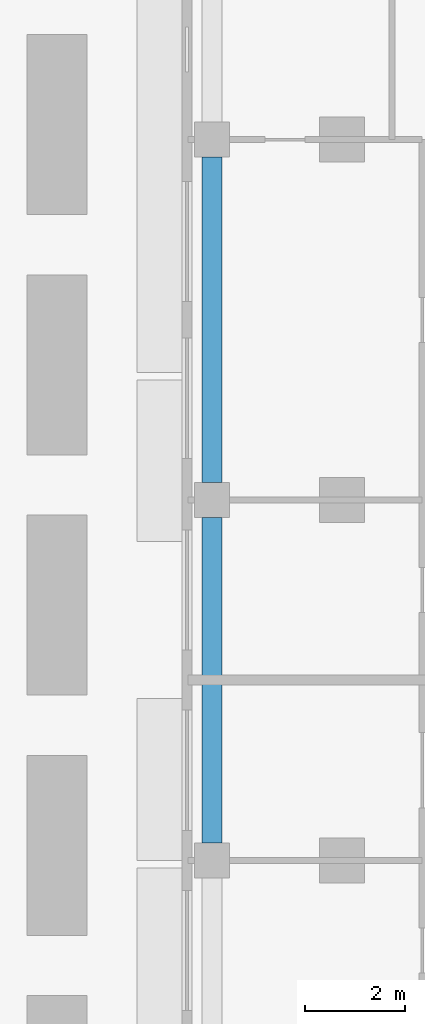
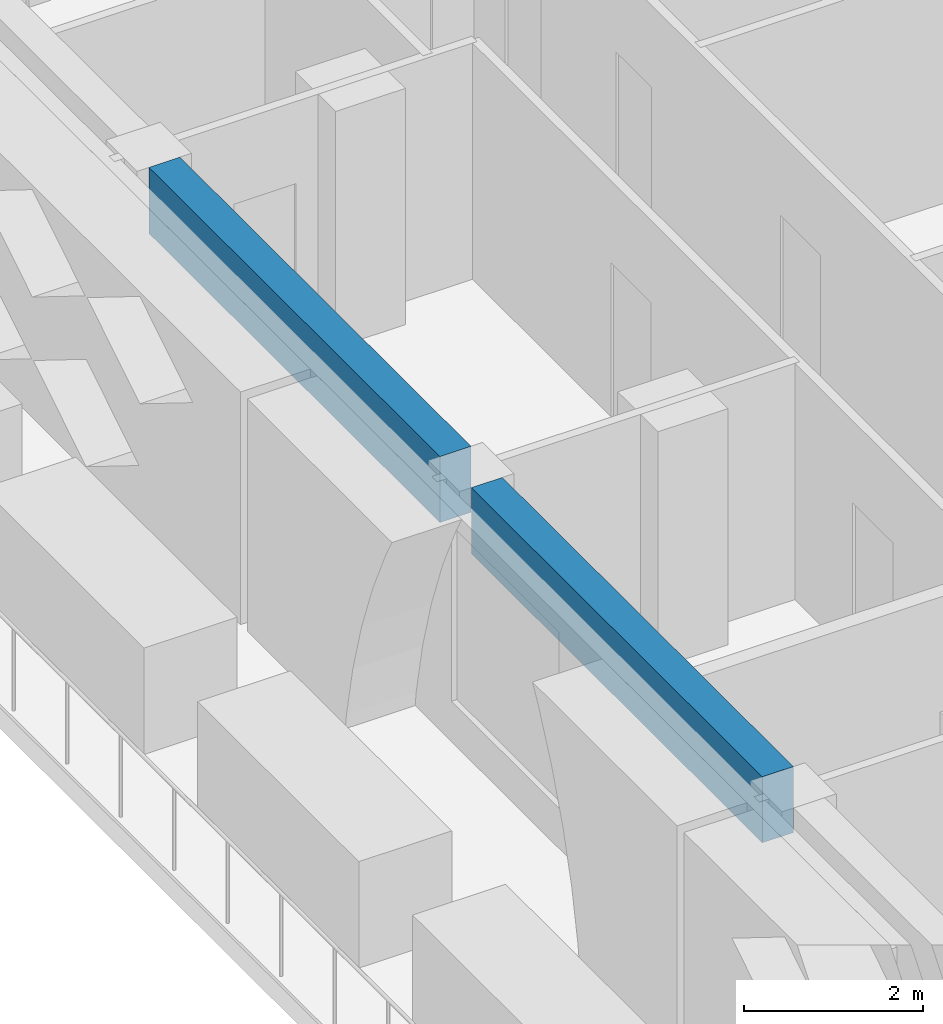
# One storey, part 3 of 19: 2 beams.
"""IFC4 building model written with IfcOpenShell, lengths in metres."""

from ifc_helpers import new_model, si_unit, direction, frame, origin, origin_2d, place, context, subcontext, project, spatial, rectangle, extrude, source, transform, mapped, material, material_profile, profile_set, type_object, element, save


model = new_model("IFC4")

# Units and contexts
model_context = context("Model", 3, precision=1e-05, world=origin(), true_north=direction((0.0, 1.0)))
body_context = subcontext(model_context, "Body", "Model", "MODEL_VIEW")
ifc_project = project(units=[si_unit("LENGTHUNIT", "METRE"), si_unit("AREAUNIT", "SQUARE_METRE"), si_unit("VOLUMEUNIT", "CUBIC_METRE"), si_unit("PLANEANGLEUNIT", "RADIAN"), si_unit("MASSUNIT", "GRAM", prefix="KILO")], contexts=[model_context])

# Site, building, storey
site_placement = place(None, origin())
site = spatial("IfcSite", under=ifc_project, at=site_placement, CompositionType="ELEMENT")
building_placement = place(site_placement, origin())
building = spatial("IfcBuilding", under=site, at=building_placement, Name="Saffron Iwan Residences", CompositionType="ELEMENT")
storey_placement = place(building_placement, frame((0.0, 0.0, 211.5)))
storey = spatial("IfcBuildingStorey", under=building, at=storey_placement, Name="L56", CompositionType="ELEMENT", Elevation=211.5)

# Beams
ifc_material = material(Name="Concrete C40/50", Category="concrete")
ifc_material_profile = material_profile(ifc_material, rectangle(XDim=0.39990234375, YDim=0.89990234375, at=origin_2d()), Name="RC 400x900")
ifc_profile_set = profile_set([ifc_material_profile], Name="Concrete C40/50")
beam_type = type_object("IfcBeamType", Name="SPANDREL BEAM RC 400x900 C40/50 TOP 3220", PredefinedType="SPANDREL", material=ifc_profile_set)
shared_shape = source(origin(), body_context, "Body", "SweptSolid", [
    extrude(rectangle(XDim=0.39990234375, YDim=0.89990234375, at=origin_2d()), origin(), (0.0, 0.0, 1.0), 6.5),
])
for number, where, z_axis, x_axis, name in (
    (1, (19.0, 55.550048828125, 2.77001953125), (0.0, 1.0, 0.0), (-1.0, 0.0, 0.0), "Spandrel beam"),
    (2, (19.0, 62.75, 2.77001953125), (0.0, 1.0, 0.0), (-1.0, 0.0, 0.0), "Spandrel beam"),
):
    element("IfcBeam", number, at=place(storey_placement, frame(where, z_axis=z_axis, x_axis=x_axis)), inside=storey, type_object=beam_type, Name=name, PredefinedType="SPANDREL", context=body_context, shape_type="MappedRepresentation", body=[
        mapped(shared_shape, transform((0.0, 0.0, 0.0))),
    ])

save(model, "model.ifc")
